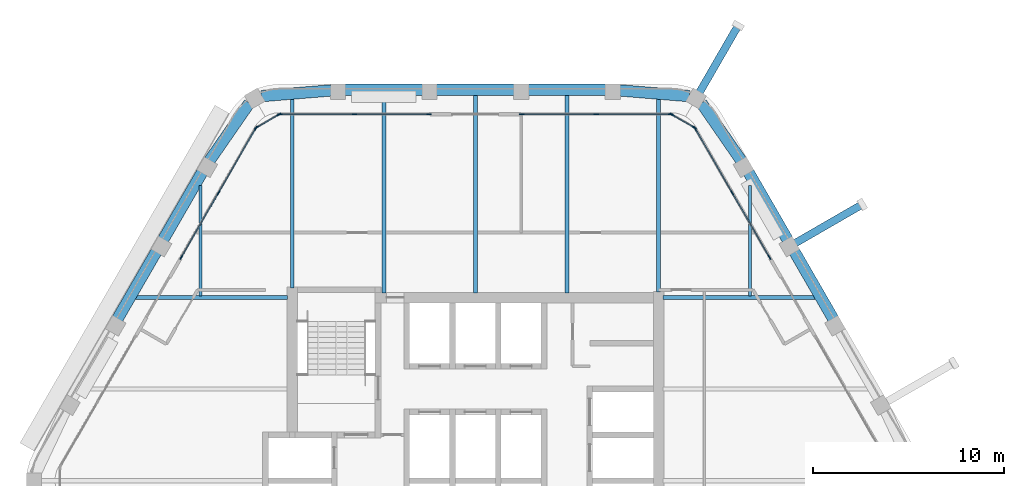
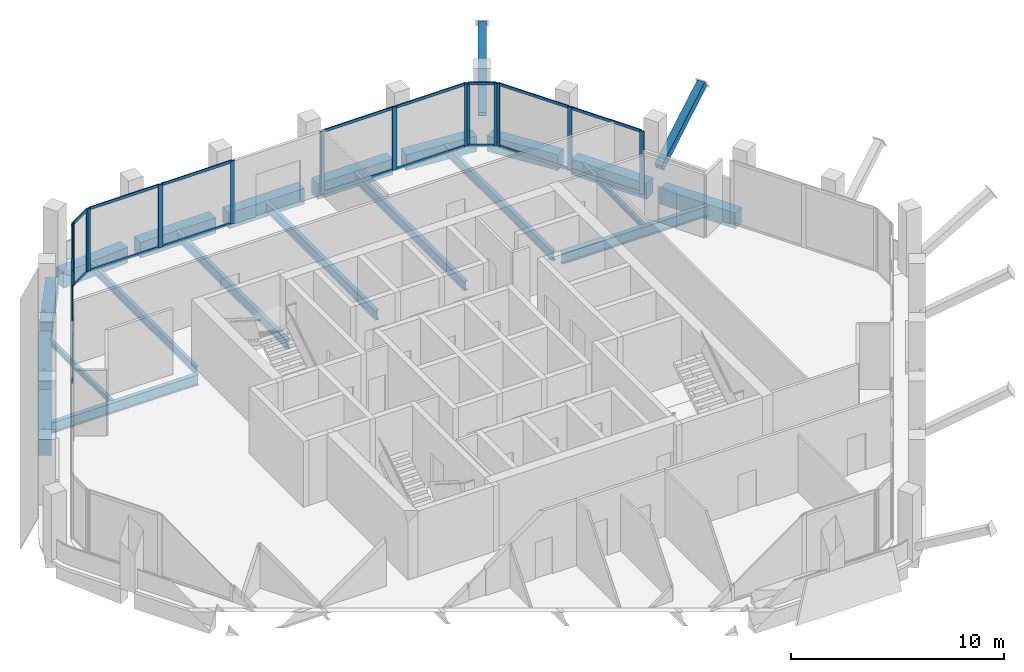
# One storey, part 5 of 14: 38 members, 20 beams, 6 elements without a shape of their own.
"""IFC4 building model written with IfcOpenShell, lengths in metres."""

import ifcopenshell
import ifcopenshell.guid

model = None  # the IFC model being written
_history = None  # IfcOwnerHistory: only IFC2X3 demands one
_inside = {}  # id of a spatial element -> (the spatial element, [elements in it])
_under = {}  # id of a project, library or spatial element -> (it, [spatial elements below it])
_declared = {}  # id of a project -> (the project, [libraries it declares])
_typed = {}  # id of a type object -> (the type object, [elements of that type])
_made_of = {}  # id of a material, layer set ... -> (it, [elements and type objects made of it])


def new_model(schema):
    """Start an empty IFC model of exactly this schema.

    Asked for "IFC4X3", IfcOpenShell would pick the latest addendum, in which some entities
    have other attributes; the version numbers below select the first issue.
    IFC2X3 requires an IfcOwnerHistory on every rooted entity: one is made here for all.
    """
    global model, _history
    if schema == "IFC4X3":
        model = ifcopenshell.file(schema_version=(4, 3, 0, 0))
    else:
        model = ifcopenshell.file(schema=schema)
    _inside.clear()
    _under.clear()
    _declared.clear()
    _typed.clear()
    _made_of.clear()
    _history = None
    if model.schema == "IFC2X3":
        org = make("IfcOrganization", Name="unknown")
        user = make(
            "IfcPersonAndOrganization",
            ThePerson=make("IfcPerson", FamilyName="unknown"),
            TheOrganization=org,
        )
        app = make(
            "IfcApplication",
            ApplicationDeveloper=org,
            Version="unknown",
            ApplicationFullName="unknown",
            ApplicationIdentifier="unknown",
        )
        _history = make(
            "IfcOwnerHistory",
            OwningUser=user,
            OwningApplication=app,
            ChangeAction="ADDED",
            CreationDate=0,
        )
    return model


def make(cls, **values):
    """One entity of the class cls with the attributes given. An attribute that is None is left unset."""
    return model.create_entity(
        cls, **{name: value for name, value in values.items() if value is not None}
    )


def rooted(cls, **values):
    """An entity with a GlobalId (a new one), such as an element, a storey or a relation."""
    return make(cls, GlobalId=ifcopenshell.guid.new(), OwnerHistory=_history, **values)


def si_unit(unit_type, name, prefix=None):
    """IfcSIUnit, for example si_unit("LENGTHUNIT", "METRE", prefix="MILLI")."""
    return make("IfcSIUnit", UnitType=unit_type, Prefix=prefix, Name=name)


def assignment(units):
    """IfcUnitAssignment: the units of a project."""
    return None if units is None else make("IfcUnitAssignment", Units=units)


def point(xyz):
    """IfcCartesianPoint."""
    return None if xyz is None else make("IfcCartesianPoint", Coordinates=xyz)


def direction(xyz):
    """IfcDirection."""
    return None if xyz is None else make("IfcDirection", DirectionRatios=xyz)


def frame(location, z_axis=None, x_axis=None):
    """IfcAxis2Placement3D, a coordinate frame: its origin and axes. An axis left out is left unset."""
    return make(
        "IfcAxis2Placement3D",
        Location=point(location),
        Axis=direction(z_axis),
        RefDirection=direction(x_axis),
    )


def frame_2d(location, x_axis=None):
    """IfcAxis2Placement2D, a coordinate frame in the plane: its origin and x axis."""
    return make(
        "IfcAxis2Placement2D", Location=point(location), RefDirection=direction(x_axis)
    )


def origin():
    """The frame at (0, 0, 0) with its axes left unset."""
    return frame((0.0, 0.0, 0.0))


def origin_2d():
    """The frame at (0, 0) in the plane with its x axis left unset."""
    return frame_2d((0.0, 0.0))


def place(relative_to, where):
    """IfcLocalPlacement: puts the frame where relative to a parent placement (None: the world)."""
    return make(
        "IfcLocalPlacement", PlacementRelTo=relative_to, RelativePlacement=where
    )


def context(
    kind, dimensions, precision=None, world=None, true_north=None, identifier=None
):
    """IfcGeometricRepresentationContext, for example the 3D "Model" context."""
    return make(
        "IfcGeometricRepresentationContext",
        ContextIdentifier=identifier,
        ContextType=kind,
        CoordinateSpaceDimension=dimensions,
        Precision=precision,
        WorldCoordinateSystem=world,
        TrueNorth=true_north,
    )


def subcontext(parent, identifier, kind, view, scale=None):
    """IfcGeometricRepresentationSubContext, for example "Body" below "Model"."""
    return make(
        "IfcGeometricRepresentationSubContext",
        ContextIdentifier=identifier,
        ContextType=kind,
        ParentContext=parent,
        TargetScale=scale,
        TargetView=view,
    )


def project(units=None, contexts=None):
    """IfcProject with its units and contexts."""
    return rooted(
        "IfcProject",
        Name="project",
        RepresentationContexts=contexts,
        UnitsInContext=assignment(units),
    )


def spatial(cls, under=None, at=None, **own):
    """A site, building, storey or space (cls), placed at a placement, below another one or the project."""
    s = rooted(cls, ObjectPlacement=at, **own)
    if under is not None:
        _under.setdefault(under.id(), (under, []))[1].append(s)
    return s


def profile(cls, at=None, kind="AREA", **sizes):
    """A parametric profile (cls). Its sizes go by their IFC names, for example OverallWidth=200.0."""
    return make(cls, ProfileType=kind, Position=at, **sizes)


def rectangle(**sizes):
    """IfcRectangleProfileDef."""
    return profile("IfcRectangleProfileDef", **sizes)


def hollow_rectangle(**sizes):
    """IfcRectangleHollowProfileDef."""
    return profile("IfcRectangleHollowProfileDef", **sizes)


def i_section(**sizes):
    """IfcIShapeProfileDef."""
    return profile("IfcIShapeProfileDef", **sizes)


def extrude(swept, where, along, depth):
    """IfcExtrudedAreaSolid: the profile swept, set in the frame where, extruded along a direction by depth."""
    return make(
        "IfcExtrudedAreaSolid",
        SweptArea=swept,
        Position=where,
        ExtrudedDirection=direction(along),
        Depth=depth,
    )


def shape(context_of_items, identifier, shape_type, items):
    """IfcShapeRepresentation: the items that make up one representation, for example the "Body"."""
    return make(
        "IfcShapeRepresentation",
        ContextOfItems=context_of_items,
        RepresentationIdentifier=identifier,
        RepresentationType=shape_type,
        Items=items,
    )


def material(Name=None, Category=None):
    """IfcMaterial."""
    return make("IfcMaterial", Name=Name, Category=Category)


def material_profile(
    of_material, cross_section, Name=None, Category=None, Priority=None
):
    """IfcMaterialProfile: a cross section and its material."""
    return make(
        "IfcMaterialProfile",
        Name=Name,
        Material=of_material,
        Profile=cross_section,
        Priority=Priority,
        Category=Category,
    )


def profile_set(profiles, Name=None, composite=None):
    """IfcMaterialProfileSet."""
    return make(
        "IfcMaterialProfileSet",
        Name=Name,
        MaterialProfiles=profiles,
        CompositeProfile=composite,
    )


def made_of(thing, what):
    """Note that an element or type object is made of a material, layer set ...; save() writes the relation."""
    if what is not None:
        _made_of.setdefault(what.id(), (what, []))[1].append(thing)
    return thing


def type_object(cls, material=None, **own):
    """A type object (cls), such as IfcWallType, which elements share."""
    return made_of(rooted(cls, **own), material)


def element(
    cls,
    number,
    at=None,
    inside=None,
    cuts=None,
    type_object=None,
    material=None,
    context=None,
    identifier="Body",
    shape_type=None,
    held_by="IfcProductDefinitionShape",
    body=None,
    shapes=None,
    **own,
):
    """One element of the class cls, such as IfcWall. Its Tag is "e" and its number.

    at: its placement. inside: the storey or other place that contains it. cuts: it is an
    opening in that element (IfcRelVoidsElement). A single representation is given by context,
    identifier, shape_type and body (its items); several are given by shapes. held_by: the class
    of the entity that holds the representations. save() writes the other relations.
    """
    e = rooted(cls, Tag="e%d" % number, ObjectPlacement=at, **own)
    if body is not None:
        shapes = [shape(context, identifier, shape_type, body)]
    if shapes is not None:
        e.Representation = make(held_by, Representations=shapes)
    if inside is not None:
        _inside.setdefault(inside.id(), (inside, []))[1].append(e)
    if cuts is not None:
        rooted(
            "IfcRelVoidsElement", RelatingBuildingElement=cuts, RelatedOpeningElement=e
        )
    if type_object is not None:
        _typed.setdefault(type_object.id(), (type_object, []))[1].append(e)
    return made_of(e, material)


def aggregate(whole, parts):
    """IfcRelAggregates: a whole, such as a stair, and the parts it consists of."""
    return rooted("IfcRelAggregates", RelatingObject=whole, RelatedObjects=parts)


def save(model, path):
    """Write the relations noted so far, then the file.

    IfcRelAggregates (storeys below a building ...), IfcRelContainedInSpatialStructure (elements
    in a storey), IfcRelDefinesByType, IfcRelAssociatesMaterial and IfcRelDeclares: one each for
    every whole, place, type object, material and project.
    """
    for whole, parts in _under.values():
        aggregate(whole, parts)
    for where, things in _inside.values():
        rooted(
            "IfcRelContainedInSpatialStructure",
            RelatedElements=things,
            RelatingStructure=where,
        )
    for kind, things in _typed.values():
        rooted("IfcRelDefinesByType", RelatedObjects=things, RelatingType=kind)
    for what, things in _made_of.values():
        rooted("IfcRelAssociatesMaterial", RelatedObjects=things, RelatingMaterial=what)
    for by, libraries in _declared.values():
        rooted("IfcRelDeclares", RelatingContext=by, RelatedDefinitions=libraries)
    model.write(path)


model = new_model("IFC4")

# Units and contexts
model_context = context("Model", 3, precision=1e-05, world=origin(), true_north=direction((0.0, 1.0)))
body_context = subcontext(model_context, "Body", "Model", "MODEL_VIEW")
ifc_project = project(units=[si_unit("LENGTHUNIT", "METRE"), si_unit("AREAUNIT", "SQUARE_METRE"), si_unit("VOLUMEUNIT", "CUBIC_METRE"), si_unit("PLANEANGLEUNIT", "RADIAN"), si_unit("MASSUNIT", "GRAM", prefix="KILO")], contexts=[model_context])

# Site, building, storey
site_placement = place(None, origin())
site = spatial("IfcSite", under=ifc_project, at=site_placement, CompositionType="ELEMENT")
building_placement = place(site_placement, origin())
building = spatial("IfcBuilding", under=site, at=building_placement, Name="Kolab Exchange Tower", CompositionType="ELEMENT")
storey_placement = place(building_placement, frame((0.0, 0.0, 281.300048828125)))
storey = spatial("IfcBuildingStorey", under=building, at=storey_placement, Name="L63", CompositionType="ELEMENT", Elevation=281.300048828125)

# Beams
ifc_material_1 = material(Name="Steel S355", Category="steel")
ifc_material_profile_1 = material_profile(ifc_material_1, i_section(OverallWidth=0.1650390625, OverallDepth=0.31005859375, WebThickness=0.005859375, FlangeThickness=0.009765625, at=origin_2d()), Name="W310X39")
ifc_profile_set_1 = profile_set([ifc_material_profile_1], Name="Steel S355")
beam_type_1 = type_object("IfcBeamType", Name="FLOOR BEAM W310X39", PredefinedType="BEAM", material=ifc_profile_set_1)
for number, where, z_axis, x_axis, name in (
    (1, (-14.39990234375, 9.674072265625, -0.304931640625), (0.0, 1.0, 0.0), (-1.0, 0.0, 0.0), "beam/L63/fr/004"),
    (2, (14.39990234375, 9.674072265625, -0.304931640625), (0.0, 1.0, 0.0), (-1.0, 0.0, 0.0), "beam/L63/fr/019"),
):
    element("IfcBeam", number, at=place(storey_placement, frame(where, z_axis=z_axis, x_axis=x_axis)), inside=storey, type_object=beam_type_1, Name=name, PredefinedType="BEAM", context=body_context, shape_type="SweptSolid", body=[
        extrude(i_section(OverallWidth=0.1650390625, OverallDepth=0.31005859375, WebThickness=0.005859375, FlangeThickness=0.009765625, at=origin_2d()), origin(), (0.0, 0.0, 1.0), 5.793701171875),
    ])
ifc_material_profile_2 = material_profile(ifc_material_1, i_section(OverallWidth=0.18994140625, OverallDepth=0.45703125, WebThickness=0.009033203125, FlangeThickness=0.014404296875, at=origin_2d()), Name="W460X74")
ifc_profile_set_2 = profile_set([ifc_material_profile_2], Name="Steel S355")
beam_type_2 = type_object("IfcBeamType", Name="FLOOR BEAM W460X74", PredefinedType="BEAM", material=ifc_profile_set_2)
beam_1_placement = place(storey_placement, frame((-9.60009765625, 10.110107421875, -0.378662109375), z_axis=(0.0, 1.0, 0.0), x_axis=(-1.0, 0.0, 0.0)))
element("IfcBeam", 3, at=beam_1_placement, inside=storey, type_object=beam_type_2, Name="beam/L63/fr/006", PredefinedType="BEAM", context=body_context, shape_type="SweptSolid", body=[
    extrude(i_section(OverallWidth=0.18994140625, OverallDepth=0.45703125, WebThickness=0.009033203125, FlangeThickness=0.014404296875, at=origin_2d()), origin(), (0.0, 0.0, 1.0), 9.9169921875),
])
ifc_material_profile_3 = material_profile(ifc_material_1, i_section(OverallWidth=0.208984375, OverallDepth=0.532958984375, WebThickness=0.01025390625, FlangeThickness=0.015625, at=origin_2d()), Name="W530X92")
ifc_profile_set_3 = profile_set([ifc_material_profile_3], Name="Steel S355")
beam_type_3 = type_object("IfcBeamType", Name="FLOOR BEAM W530X92", PredefinedType="BEAM", material=ifc_profile_set_3)
for number, where, z_axis, x_axis, name in (
    (4, (-4.800048828125, 9.8349609375, -0.41650390625), (0.0, 1.0, 0.0), (-1.0, 0.0, 0.0), "beam/L63/fr/008"),
    (5, (0.0, 9.8349609375, -0.41650390625), (0.0, 1.0, 0.0), (-1.0, 0.0, 0.0), "beam/L63/fr/010"),
    (6, (4.800048828125, 9.8349609375, -0.41650390625), (0.0, 1.0, 0.0), (-1.0, 0.0, 0.0), "beam/L63/fr/012"),
):
    element("IfcBeam", number, at=place(storey_placement, frame(where, z_axis=z_axis, x_axis=x_axis)), inside=storey, type_object=beam_type_3, Name=name, PredefinedType="BEAM", context=body_context, shape_type="SweptSolid", body=[
        extrude(i_section(OverallWidth=0.208984375, OverallDepth=0.532958984375, WebThickness=0.01025390625, FlangeThickness=0.015625, at=origin_2d()), origin(), (0.0, 0.0, 1.0), 10.3896484375),
    ])
beam_2_placement = place(storey_placement, frame((9.60009765625, 9.885009765625, -0.41650390625), z_axis=(0.0, 1.0, 0.0), x_axis=(-1.0, 0.0, 0.0)))
element("IfcBeam", 7, at=beam_2_placement, inside=storey, type_object=beam_type_3, Name="beam/L63/fr/014", PredefinedType="BEAM", context=body_context, shape_type="SweptSolid", body=[
    extrude(i_section(OverallWidth=0.208984375, OverallDepth=0.532958984375, WebThickness=0.01025390625, FlangeThickness=0.015625, at=origin_2d()), origin(), (0.0, 0.0, 1.0), 10.14208984375),
])
ifc_material_profile_4 = material_profile(ifc_material_1, i_section(OverallWidth=0.22802734375, OverallDepth=0.60791015625, WebThickness=0.01123046875, FlangeThickness=0.017333984375, at=origin_2d()), Name="W610X113")
ifc_profile_set_4 = profile_set([ifc_material_profile_4], Name="Steel S355")
beam_type_4 = type_object("IfcBeamType", Name="FLOOR GIRDER W610X113", PredefinedType="BEAM", material=ifc_profile_set_4)
for number, where, z_axis, x_axis, name in (
    (8, (-17.8046875, 9.60009765625, -0.4541015625), (1.0, 0.0, 0.0), (0.0, 1.0, 0.0), "beam/L63/gd/001"),
    (9, (9.8349609375, 9.60009765625, -0.4541015625), (1.0, 0.0, 0.0), (0.0, 1.0, 0.0), "beam/L63/gd/003"),
):
    element("IfcBeam", number, at=place(storey_placement, frame(where, z_axis=z_axis, x_axis=x_axis)), inside=storey, type_object=beam_type_4, Name=name, PredefinedType="BEAM", context=body_context, shape_type="SweptSolid", body=[
        extrude(i_section(OverallWidth=0.22802734375, OverallDepth=0.60791015625, WebThickness=0.01123046875, FlangeThickness=0.017333984375, at=origin_2d()), origin(), (0.0, 0.0, 1.0), 7.9697265625),
    ])

# Members
ifc_material_profile_5 = material_profile(ifc_material_1, hollow_rectangle(XDim=0.39990234375, YDim=0.39990234375, WallThickness=0.02001953125, at=origin_2d()), Name="HSS400X400X20")
ifc_profile_set_5 = profile_set([ifc_material_profile_5], Name="Steel S355")
member_type_1 = type_object("IfcMemberType", Name="LEDGE STRUT HSS400X400X20", PredefinedType="STRUT", material=ifc_profile_set_5)
for number, where, z_axis, x_axis, name in (
    (10, (11.747802734375, 20.347900390625, 0.599853515625), (0.431355064226, 0.74712949304, 0.505697863547), (-0.866025579307, 0.499999695987, 0.0), "mem/L63/ledge/strut-0"),
    (11, (16.765380859375, 12.45068359375, 0.599853515625), (0.74712949304, 0.431355064226, 0.505697863547), (-0.499999695987, 0.866025579307, 0.0), "mem/L63/ledge/strut-1"),
):
    element("IfcMember", number, at=place(storey_placement, frame(where, z_axis=z_axis, x_axis=x_axis)), inside=storey, type_object=member_type_1, Name=name, PredefinedType="STRUT", context=body_context, shape_type="SweptSolid", body=[
        extrude(hollow_rectangle(XDim=0.39990234375, YDim=0.39990234375, WallThickness=0.02001953125, at=origin_2d()), origin(), (0.0, 0.0, 1.0), 4.682861328125),
    ])

# Beams
ifc_material_2 = material(Name="Concrete C50/60", Category="concrete")
ifc_material_profile_6 = material_profile(ifc_material_2, rectangle(XDim=0.60009765625, YDim=0.89990234375, at=origin_2d()), Name="RC600X900")
ifc_profile_set_6 = profile_set([ifc_material_profile_6], Name="Concrete C50/60")
beam_type_5 = type_object("IfcBeamType", Name="SPANDREL BEAM 600X900 C50/60", PredefinedType="BEAM", material=ifc_profile_set_6)
beam_3_placement = place(storey_placement, frame((-11.216796875, 20.15576171875, -0.60009765625), z_axis=(0.996666751878, 0.081580547323, 0.0), x_axis=(-0.081580547323, 0.996666751878, 0.0)))
element("IfcBeam", 12, at=beam_3_placement, inside=storey, type_object=beam_type_5, Name="beam/L63/sp/F1-01", PredefinedType="BEAM", context=body_context, shape_type="SweptSolid", body=[
    extrude(rectangle(XDim=0.60009765625, YDim=0.89990234375, at=origin_2d()), origin(), (0.0, 0.0, 1.0), 3.6689453125),
])
for number, where, z_axis, x_axis, name in (
    (13, (-6.840087890625, 20.484619140625, -0.60009765625), (1.0, 0.0, 0.0), (0.0, 1.0, 0.0), "beam/L63/sp/F1-02"),
    (14, (-2.0400390625, 20.484619140625, -0.60009765625), (1.0, 0.0, 0.0), (0.0, 1.0, 0.0), "beam/L63/sp/F1-03"),
    (15, (2.760009765625, 20.484619140625, -0.60009765625), (1.0, 0.0, 0.0), (0.0, 1.0, 0.0), "beam/L63/sp/F1-04"),
):
    element("IfcBeam", number, at=place(storey_placement, frame(where, z_axis=z_axis, x_axis=x_axis)), inside=storey, type_object=beam_type_5, Name=name, PredefinedType="BEAM", context=body_context, shape_type="SweptSolid", body=[
        extrude(rectangle(XDim=0.60009765625, YDim=0.89990234375, at=origin_2d()), origin(), (0.0, 0.0, 1.0), 4.080078125),
    ])
for number, where, z_axis, x_axis, name in (
    (16, (7.56005859375, 20.455078125, -0.60009765625), (0.996666751878, -0.081580547323, 0.0), (0.081580547323, 0.996666751878, 0.0), "beam/L63/sp/F1-05"),
    (17, (11.846923828125, 19.7919921875, -0.60009765625), (0.569005808573, -0.822333502789, 0.0), (0.822333502789, 0.569005808573, 0.0), "beam/L63/sp/F2-01"),
):
    element("IfcBeam", number, at=place(storey_placement, frame(where, z_axis=z_axis, x_axis=x_axis)), inside=storey, type_object=beam_type_5, Name=name, PredefinedType="BEAM", context=body_context, shape_type="SweptSolid", body=[
        extrude(rectangle(XDim=0.60009765625, YDim=0.89990234375, at=origin_2d()), origin(), (0.0, 0.0, 1.0), 3.6689453125),
    ])
beam_4_placement = place(storey_placement, frame((14.3203125, 16.166015625, -0.60009765625), z_axis=(0.499955548806, -0.866051066172, 0.0), x_axis=(0.866051066172, 0.499955548806, 0.0)))
element("IfcBeam", 18, at=beam_4_placement, inside=storey, type_object=beam_type_5, Name="beam/L63/sp/F2-02", PredefinedType="BEAM", context=body_context, shape_type="SweptSolid", body=[
    extrude(rectangle(XDim=0.60009765625, YDim=0.89990234375, at=origin_2d()), origin(), (0.0, 0.0, 1.0), 4.079833984375),
])
for number, where, z_axis, x_axis, name in (
    (19, (16.72021484375, 12.009033203125, -0.60009765625), (0.500000428765, -0.866025156237, 0.0), (0.866025156237, 0.500000428765, 0.0), "beam/L63/sp/F2-03"),
    (20, (-18.76025390625, 8.4755859375, -0.60009765625), (0.500000428765, 0.866025156237, 0.0), (-0.866025156237, 0.500000428765, 0.0), "beam/L63/sp/F6-03"),
):
    element("IfcBeam", number, at=place(storey_placement, frame(where, z_axis=z_axis, x_axis=x_axis)), inside=storey, type_object=beam_type_5, Name=name, PredefinedType="BEAM", context=body_context, shape_type="SweptSolid", body=[
        extrude(rectangle(XDim=0.60009765625, YDim=0.89990234375, at=origin_2d()), origin(), (0.0, 0.0, 1.0), 4.080078125),
    ])
beam_5_placement = place(storey_placement, frame((-16.360107421875, 12.632568359375, -0.60009765625), z_axis=(0.499955548806, 0.866051066172, 0.0), x_axis=(-0.866051066172, 0.499955548806, 0.0)))
element("IfcBeam", 21, at=beam_5_placement, inside=storey, type_object=beam_type_5, Name="beam/L63/sp/F6-04", PredefinedType="BEAM", context=body_context, shape_type="SweptSolid", body=[
    extrude(rectangle(XDim=0.60009765625, YDim=0.89990234375, at=origin_2d()), origin(), (0.0, 0.0, 1.0), 4.079833984375),
])
beam_6_placement = place(storey_placement, frame((-13.9345703125, 16.77490234375, -0.60009765625), z_axis=(0.569005808573, 0.822333502789, 0.0), x_axis=(-0.822333502789, 0.569005808573, 0.0)))
element("IfcBeam", 22, at=beam_6_placement, inside=storey, type_object=beam_type_5, Name="beam/L63/sp/F6-05", PredefinedType="BEAM", context=body_context, shape_type="SweptSolid", body=[
    extrude(rectangle(XDim=0.60009765625, YDim=0.89990234375, at=origin_2d()), origin(), (0.0, 0.0, 1.0), 3.6689453125),
])

# Curtain wall, members
ifc_material_3 = material(Name="Aluminium EN AW-6063 T6", Category="aluminium")
curtain_wall_type = type_object("IfcCurtainWallType", Name="UNITISED HIGH ZONE CURTAIN WALL", PredefinedType="NOTDEFINED", material=ifc_material_3)
curtain_wall_1_placement = place(storey_placement, origin())
curtain_wall_1 = element("IfcCurtainWall", 23, at=curtain_wall_1_placement, inside=storey, type_object=curtain_wall_type, Name="cw/L63/F1-1", PredefinedType="NOTDEFINED")
ifc_material_profile_7 = material_profile(ifc_material_3, rectangle(XDim=0.06005859375, YDim=0.239990234375, at=origin_2d()), Name="RECT 60X240")
ifc_profile_set_7 = profile_set([ifc_material_profile_7], Name="Aluminium EN AW-6063 T6")
member_type_2 = type_object("IfcMemberType", Name="UNITISED HIGH ZONE MULLION 60 X 240", PredefinedType="MULLION", material=ifc_profile_set_7)
member_1_placement = place(storey_placement, frame((-10.238037109375, 19.20458984375, 0.0), z_axis=(0.0, 0.0, 1.0), x_axis=(0.0, 1.0, 0.0)))
member_1 = element("IfcMember", 24, at=member_1_placement, type_object=member_type_2, Name="CW4 mullion 1", PredefinedType="MULLION", context=body_context, shape_type="SweptSolid", body=[
    extrude(rectangle(XDim=0.06005859375, YDim=0.239990234375, at=origin_2d()), origin(), (0.0, 0.0, 1.0), 3.599853515625),
])
member_2_placement = place(storey_placement, frame((-6.333984375, 19.20458984375, 0.0), z_axis=(0.0, 0.0, 1.0), x_axis=(0.0, 1.0, 0.0)))
member_2 = element("IfcMember", 25, at=member_2_placement, type_object=member_type_2, Name="CW4 mullion 2", PredefinedType="MULLION", context=body_context, shape_type="SweptSolid", body=[
    extrude(rectangle(XDim=0.06005859375, YDim=0.239990234375, at=origin_2d()), origin(), (0.0, 0.0, 1.0), 3.599853515625),
])
member_3_placement = place(storey_placement, frame((-2.429931640625, 19.20458984375, 0.0), z_axis=(0.0, 0.0, 1.0), x_axis=(0.0, 1.0, 0.0)))
member_3 = element("IfcMember", 26, at=member_3_placement, type_object=member_type_2, Name="CW4 mullion 3", PredefinedType="MULLION", context=body_context, shape_type="SweptSolid", body=[
    extrude(rectangle(XDim=0.06005859375, YDim=0.239990234375, at=origin_2d()), origin(), (0.0, 0.0, 1.0), 3.599853515625),
])

curtain_wall_2_placement = place(storey_placement, origin())
curtain_wall_2 = element("IfcCurtainWall", 27, at=curtain_wall_2_placement, inside=storey, type_object=curtain_wall_type, Name="cw/L63/F1-2", PredefinedType="NOTDEFINED")
member_4_placement = place(storey_placement, frame((2.429931640625, 19.20458984375, 0.0), z_axis=(0.0, 0.0, 1.0), x_axis=(0.0, 1.0, 0.0)))
member_4 = element("IfcMember", 28, at=member_4_placement, type_object=member_type_2, Name="CW4 mullion 1", PredefinedType="MULLION", context=body_context, shape_type="SweptSolid", body=[
    extrude(rectangle(XDim=0.06005859375, YDim=0.239990234375, at=origin_2d()), origin(), (0.0, 0.0, 1.0), 3.599853515625),
])
member_5_placement = place(storey_placement, frame((6.333984375, 19.20458984375, 0.0), z_axis=(0.0, 0.0, 1.0), x_axis=(0.0, 1.0, 0.0)))
member_5 = element("IfcMember", 29, at=member_5_placement, type_object=member_type_2, Name="CW4 mullion 2", PredefinedType="MULLION", context=body_context, shape_type="SweptSolid", body=[
    extrude(rectangle(XDim=0.06005859375, YDim=0.239990234375, at=origin_2d()), origin(), (0.0, 0.0, 1.0), 3.599853515625),
])
member_6_placement = place(storey_placement, frame((10.238037109375, 19.20458984375, 0.0), z_axis=(0.0, 0.0, 1.0), x_axis=(0.0, 1.0, 0.0)))
member_6 = element("IfcMember", 30, at=member_6_placement, type_object=member_type_2, Name="CW4 mullion 3", PredefinedType="MULLION", context=body_context, shape_type="SweptSolid", body=[
    extrude(rectangle(XDim=0.06005859375, YDim=0.239990234375, at=origin_2d()), origin(), (0.0, 0.0, 1.0), 3.599853515625),
])

curtain_wall_3_placement = place(storey_placement, origin())
curtain_wall_3 = element("IfcCurtainWall", 31, at=curtain_wall_3_placement, inside=storey, type_object=curtain_wall_type, Name="cw/L63/F2-1", PredefinedType="NOTDEFINED")
member_7_placement = place(storey_placement, frame((11.5126953125, 18.46875, 0.0), z_axis=(0.0, 0.0, 1.0), x_axis=(0.866025385493, 0.500000031681, 0.0)))
member_7 = element("IfcMember", 32, at=member_7_placement, type_object=member_type_2, Name="CW4 mullion 1", PredefinedType="MULLION", context=body_context, shape_type="SweptSolid", body=[
    extrude(rectangle(XDim=0.06005859375, YDim=0.239990234375, at=origin_2d()), origin(), (0.0, 0.0, 1.0), 3.599853515625),
])
member_8_placement = place(storey_placement, frame((13.464599609375, 15.087646484375, 0.0), z_axis=(0.0, 0.0, 1.0), x_axis=(0.866025385493, 0.500000031681, 0.0)))
member_8 = element("IfcMember", 33, at=member_8_placement, type_object=member_type_2, Name="CW4 mullion 2", PredefinedType="MULLION", context=body_context, shape_type="SweptSolid", body=[
    extrude(rectangle(XDim=0.06005859375, YDim=0.239990234375, at=origin_2d()), origin(), (0.0, 0.0, 1.0), 3.599853515625),
])
member_9_placement = place(storey_placement, frame((15.416748046875, 11.706787109375, 0.0), z_axis=(0.0, 0.0, 1.0), x_axis=(0.866025385493, 0.500000031681, 0.0)))
member_9 = element("IfcMember", 34, at=member_9_placement, type_object=member_type_2, Name="CW4 mullion 3", PredefinedType="MULLION", context=body_context, shape_type="SweptSolid", body=[
    extrude(rectangle(XDim=0.06005859375, YDim=0.239990234375, at=origin_2d()), origin(), (0.0, 0.0, 1.0), 3.599853515625),
])

curtain_wall_4_placement = place(storey_placement, origin())
curtain_wall_4 = element("IfcCurtainWall", 35, at=curtain_wall_4_placement, inside=storey, type_object=curtain_wall_type, Name="cw/L63/F6-2", PredefinedType="NOTDEFINED")
member_10_placement = place(storey_placement, frame((-15.416748046875, 11.706787109375, 0.0), z_axis=(0.0, 0.0, 1.0), x_axis=(-0.866025385493, 0.500000031681, 0.0)))
member_10 = element("IfcMember", 36, at=member_10_placement, type_object=member_type_2, Name="CW4 mullion 1", PredefinedType="MULLION", context=body_context, shape_type="SweptSolid", body=[
    extrude(rectangle(XDim=0.06005859375, YDim=0.239990234375, at=origin_2d()), origin(), (0.0, 0.0, 1.0), 3.599853515625),
])
member_11_placement = place(storey_placement, frame((-13.464599609375, 15.087646484375, 0.0), z_axis=(0.0, 0.0, 1.0), x_axis=(-0.866025385493, 0.500000031681, 0.0)))
member_11 = element("IfcMember", 37, at=member_11_placement, type_object=member_type_2, Name="CW4 mullion 2", PredefinedType="MULLION", context=body_context, shape_type="SweptSolid", body=[
    extrude(rectangle(XDim=0.06005859375, YDim=0.239990234375, at=origin_2d()), origin(), (0.0, 0.0, 1.0), 3.599853515625),
])
member_12_placement = place(storey_placement, frame((-11.5126953125, 18.46875, 0.0), z_axis=(0.0, 0.0, 1.0), x_axis=(-0.866025385493, 0.500000031681, 0.0)))
member_12 = element("IfcMember", 38, at=member_12_placement, type_object=member_type_2, Name="CW4 mullion 3", PredefinedType="MULLION", context=body_context, shape_type="SweptSolid", body=[
    extrude(rectangle(XDim=0.06005859375, YDim=0.239990234375, at=origin_2d()), origin(), (0.0, 0.0, 1.0), 3.599853515625),
])

curtain_wall_5_placement = place(storey_placement, origin())
curtain_wall_5 = element("IfcCurtainWall", 39, at=curtain_wall_5_placement, inside=storey, type_object=curtain_wall_type, Name="cw/L63/F1F2-corner", PredefinedType="NOTDEFINED")
member_13_placement = place(storey_placement, frame((10.2939453125, 19.189697265625, 0.0), z_axis=(0.0, 0.0, 1.0), x_axis=(0.50000002237, 0.866025390869, 0.0)))
member_13 = element("IfcMember", 40, at=member_13_placement, type_object=member_type_2, Name="CW4 mullion 1", PredefinedType="MULLION", context=body_context, shape_type="SweptSolid", body=[
    extrude(rectangle(XDim=0.06005859375, YDim=0.239990234375, at=origin_2d()), origin(), (0.0, 0.0, 1.0), 3.599853515625),
])
member_14_placement = place(storey_placement, frame((11.4716796875, 18.509521484375, 0.0), z_axis=(0.0, 0.0, 1.0), x_axis=(0.50000002237, 0.866025390869, 0.0)))
member_14 = element("IfcMember", 41, at=member_14_placement, type_object=member_type_2, Name="CW4 mullion 2", PredefinedType="MULLION", context=body_context, shape_type="SweptSolid", body=[
    extrude(rectangle(XDim=0.06005859375, YDim=0.239990234375, at=origin_2d()), origin(), (0.0, 0.0, 1.0), 3.599853515625),
])

curtain_wall_6_placement = place(storey_placement, origin())
curtain_wall_6 = element("IfcCurtainWall", 42, at=curtain_wall_6_placement, inside=storey, type_object=curtain_wall_type, Name="cw/L63/F6F1-corner", PredefinedType="NOTDEFINED")
member_15_placement = place(storey_placement, frame((-11.4716796875, 18.509521484375, 0.0), z_axis=(0.0, 0.0, 1.0), x_axis=(-0.50000002237, 0.866025390869, 0.0)))
member_15 = element("IfcMember", 43, at=member_15_placement, type_object=member_type_2, Name="CW4 mullion 1", PredefinedType="MULLION", context=body_context, shape_type="SweptSolid", body=[
    extrude(rectangle(XDim=0.06005859375, YDim=0.239990234375, at=origin_2d()), origin(), (0.0, 0.0, 1.0), 3.599853515625),
])
member_16_placement = place(storey_placement, frame((-10.2939453125, 19.189697265625, 0.0), z_axis=(0.0, 0.0, 1.0), x_axis=(-0.50000002237, 0.866025390869, 0.0)))
member_16 = element("IfcMember", 44, at=member_16_placement, type_object=member_type_2, Name="CW4 mullion 2", PredefinedType="MULLION", context=body_context, shape_type="SweptSolid", body=[
    extrude(rectangle(XDim=0.06005859375, YDim=0.239990234375, at=origin_2d()), origin(), (0.0, 0.0, 1.0), 3.599853515625),
])

# Member
ifc_material_profile_8 = material_profile(ifc_material_3, rectangle(XDim=0.06005859375, YDim=0.159912109375, at=origin_2d()), Name="RECT 60X160")
ifc_profile_set_8 = profile_set([ifc_material_profile_8], Name="Aluminium EN AW-6063 T6")
member_type_3 = type_object("IfcMemberType", Name="UNITISED HIGH ZONE TRANSOM 60 X 160", PredefinedType="USERDEFINED", material=ifc_profile_set_8)
member_17_placement = place(storey_placement, frame((-10.2080078125, 19.20458984375, 0.030029296875), z_axis=(1.0, 0.0, 0.0), x_axis=(0.0, 1.0, 0.0)))
member_17 = element("IfcMember", 45, at=member_17_placement, type_object=member_type_3, Name="CW4 transom 1.1", ObjectType="TRANSOM", PredefinedType="USERDEFINED", context=body_context, shape_type="SweptSolid", body=[
    extrude(rectangle(XDim=0.06005859375, YDim=0.159912109375, at=origin_2d()), origin(), (0.0, 0.0, 1.0), 3.843994140625),
])

member_18_placement = place(storey_placement, frame((-10.2080078125, 19.20458984375, 3.570068359375), z_axis=(1.0, 0.0, 0.0), x_axis=(0.0, 1.0, 0.0)))
member_18 = element("IfcMember", 46, at=member_18_placement, type_object=member_type_3, Name="CW4 transom 1.2", ObjectType="TRANSOM", PredefinedType="USERDEFINED", context=body_context, shape_type="SweptSolid", body=[
    extrude(rectangle(XDim=0.06005859375, YDim=0.159912109375, at=origin_2d()), origin(), (0.0, 0.0, 1.0), 3.843994140625),
])

member_19_placement = place(storey_placement, frame((-6.303955078125, 19.20458984375, 0.030029296875), z_axis=(1.0, 0.0, 0.0), x_axis=(0.0, 1.0, 0.0)))
member_19 = element("IfcMember", 47, at=member_19_placement, type_object=member_type_3, Name="CW4 transom 2.1", ObjectType="TRANSOM", PredefinedType="USERDEFINED", context=body_context, shape_type="SweptSolid", body=[
    extrude(rectangle(XDim=0.06005859375, YDim=0.159912109375, at=origin_2d()), origin(), (0.0, 0.0, 1.0), 3.843994140625),
])

member_20_placement = place(storey_placement, frame((-6.303955078125, 19.20458984375, 3.570068359375), z_axis=(1.0, 0.0, 0.0), x_axis=(0.0, 1.0, 0.0)))
member_20 = element("IfcMember", 48, at=member_20_placement, type_object=member_type_3, Name="CW4 transom 2.2", ObjectType="TRANSOM", PredefinedType="USERDEFINED", context=body_context, shape_type="SweptSolid", body=[
    extrude(rectangle(XDim=0.06005859375, YDim=0.159912109375, at=origin_2d()), origin(), (0.0, 0.0, 1.0), 3.843994140625),
])

aggregate(curtain_wall_1, [member_1, member_2, member_3, member_17, member_18, member_19, member_20])

member_21_placement = place(storey_placement, frame((2.4599609375, 19.20458984375, 0.030029296875), z_axis=(1.0, 0.0, 0.0), x_axis=(0.0, 1.0, 0.0)))
member_21 = element("IfcMember", 49, at=member_21_placement, type_object=member_type_3, Name="CW4 transom 1.1", ObjectType="TRANSOM", PredefinedType="USERDEFINED", context=body_context, shape_type="SweptSolid", body=[
    extrude(rectangle(XDim=0.06005859375, YDim=0.159912109375, at=origin_2d()), origin(), (0.0, 0.0, 1.0), 3.843994140625),
])

member_22_placement = place(storey_placement, frame((2.4599609375, 19.20458984375, 3.570068359375), z_axis=(1.0, 0.0, 0.0), x_axis=(0.0, 1.0, 0.0)))
member_22 = element("IfcMember", 50, at=member_22_placement, type_object=member_type_3, Name="CW4 transom 1.2", ObjectType="TRANSOM", PredefinedType="USERDEFINED", context=body_context, shape_type="SweptSolid", body=[
    extrude(rectangle(XDim=0.06005859375, YDim=0.159912109375, at=origin_2d()), origin(), (0.0, 0.0, 1.0), 3.843994140625),
])

member_23_placement = place(storey_placement, frame((6.364013671875, 19.20458984375, 0.030029296875), z_axis=(1.0, 0.0, 0.0), x_axis=(0.0, 1.0, 0.0)))
member_23 = element("IfcMember", 51, at=member_23_placement, type_object=member_type_3, Name="CW4 transom 2.1", ObjectType="TRANSOM", PredefinedType="USERDEFINED", context=body_context, shape_type="SweptSolid", body=[
    extrude(rectangle(XDim=0.06005859375, YDim=0.159912109375, at=origin_2d()), origin(), (0.0, 0.0, 1.0), 3.843994140625),
])

member_24_placement = place(storey_placement, frame((6.364013671875, 19.20458984375, 3.570068359375), z_axis=(1.0, 0.0, 0.0), x_axis=(0.0, 1.0, 0.0)))
member_24 = element("IfcMember", 52, at=member_24_placement, type_object=member_type_3, Name="CW4 transom 2.2", ObjectType="TRANSOM", PredefinedType="USERDEFINED", context=body_context, shape_type="SweptSolid", body=[
    extrude(rectangle(XDim=0.06005859375, YDim=0.159912109375, at=origin_2d()), origin(), (0.0, 0.0, 1.0), 3.843994140625),
])

aggregate(curtain_wall_2, [member_4, member_5, member_6, member_21, member_22, member_23, member_24])

member_25_placement = place(storey_placement, frame((11.527587890625, 18.442626953125, 0.030029296875), z_axis=(0.500039492609, -0.866002601515, 0.0), x_axis=(0.866002601515, 0.500039492609, 0.0)))
member_25 = element("IfcMember", 53, at=member_25_placement, type_object=member_type_3, Name="CW4 transom 1.1", ObjectType="TRANSOM", PredefinedType="USERDEFINED", context=body_context, shape_type="SweptSolid", body=[
    extrude(rectangle(XDim=0.06005859375, YDim=0.159912109375, at=origin_2d()), origin(), (0.0, 0.0, 1.0), 3.843994140625),
])

member_26_placement = place(storey_placement, frame((11.527587890625, 18.442626953125, 3.570068359375), z_axis=(0.500039492609, -0.866002601515, 0.0), x_axis=(0.866002601515, 0.500039492609, 0.0)))
member_26 = element("IfcMember", 54, at=member_26_placement, type_object=member_type_3, Name="CW4 transom 1.2", ObjectType="TRANSOM", PredefinedType="USERDEFINED", context=body_context, shape_type="SweptSolid", body=[
    extrude(rectangle(XDim=0.06005859375, YDim=0.159912109375, at=origin_2d()), origin(), (0.0, 0.0, 1.0), 3.843994140625),
])

member_27_placement = place(storey_placement, frame((13.479736328125, 15.061767578125, 0.030029296875), z_axis=(0.499964356602, -0.866045981532, 0.0), x_axis=(0.866045981532, 0.499964356602, 0.0)))
member_27 = element("IfcMember", 55, at=member_27_placement, type_object=member_type_3, Name="CW4 transom 2.1", ObjectType="TRANSOM", PredefinedType="USERDEFINED", context=body_context, shape_type="SweptSolid", body=[
    extrude(rectangle(XDim=0.06005859375, YDim=0.159912109375, at=origin_2d()), origin(), (0.0, 0.0, 1.0), 3.843994140625),
])

member_28_placement = place(storey_placement, frame((13.479736328125, 15.061767578125, 3.570068359375), z_axis=(0.499964356602, -0.866045981532, 0.0), x_axis=(0.866045981532, 0.499964356602, 0.0)))
member_28 = element("IfcMember", 56, at=member_28_placement, type_object=member_type_3, Name="CW4 transom 2.2", ObjectType="TRANSOM", PredefinedType="USERDEFINED", context=body_context, shape_type="SweptSolid", body=[
    extrude(rectangle(XDim=0.06005859375, YDim=0.159912109375, at=origin_2d()), origin(), (0.0, 0.0, 1.0), 3.843994140625),
])

aggregate(curtain_wall_3, [member_7, member_8, member_9, member_25, member_26, member_27, member_28])

member_29_placement = place(storey_placement, frame((-15.401611328125, 11.732666015625, 0.030029296875), z_axis=(0.499964356602, 0.866045981532, 0.0), x_axis=(-0.866045981532, 0.499964356602, 0.0)))
member_29 = element("IfcMember", 57, at=member_29_placement, type_object=member_type_3, Name="CW4 transom 1.1", ObjectType="TRANSOM", PredefinedType="USERDEFINED", context=body_context, shape_type="SweptSolid", body=[
    extrude(rectangle(XDim=0.06005859375, YDim=0.159912109375, at=origin_2d()), origin(), (0.0, 0.0, 1.0), 3.843994140625),
])

member_30_placement = place(storey_placement, frame((-15.401611328125, 11.732666015625, 3.570068359375), z_axis=(0.499964356602, 0.866045981532, 0.0), x_axis=(-0.866045981532, 0.499964356602, 0.0)))
member_30 = element("IfcMember", 58, at=member_30_placement, type_object=member_type_3, Name="CW4 transom 1.2", ObjectType="TRANSOM", PredefinedType="USERDEFINED", context=body_context, shape_type="SweptSolid", body=[
    extrude(rectangle(XDim=0.06005859375, YDim=0.159912109375, at=origin_2d()), origin(), (0.0, 0.0, 1.0), 3.843994140625),
])

member_31_placement = place(storey_placement, frame((-13.44970703125, 15.11376953125, 0.030029296875), z_axis=(0.500039492609, 0.866002601515, 0.0), x_axis=(-0.866002601515, 0.500039492609, 0.0)))
member_31 = element("IfcMember", 59, at=member_31_placement, type_object=member_type_3, Name="CW4 transom 2.1", ObjectType="TRANSOM", PredefinedType="USERDEFINED", context=body_context, shape_type="SweptSolid", body=[
    extrude(rectangle(XDim=0.06005859375, YDim=0.159912109375, at=origin_2d()), origin(), (0.0, 0.0, 1.0), 3.843994140625),
])

member_32_placement = place(storey_placement, frame((-13.44970703125, 15.11376953125, 3.570068359375), z_axis=(0.500039492609, 0.866002601515, 0.0), x_axis=(-0.866002601515, 0.500039492609, 0.0)))
member_32 = element("IfcMember", 60, at=member_32_placement, type_object=member_type_3, Name="CW4 transom 2.2", ObjectType="TRANSOM", PredefinedType="USERDEFINED", context=body_context, shape_type="SweptSolid", body=[
    extrude(rectangle(XDim=0.06005859375, YDim=0.159912109375, at=origin_2d()), origin(), (0.0, 0.0, 1.0), 3.843994140625),
])

aggregate(curtain_wall_4, [member_10, member_11, member_12, member_29, member_30, member_31, member_32])

member_33_placement = place(storey_placement, frame((10.31982421875, 19.174560546875, 0.030029296875), z_axis=(0.866085525409, -0.49989585183, 0.0), x_axis=(0.49989585183, 0.866085525409, 0.0)))
member_33 = element("IfcMember", 61, at=member_33_placement, type_object=member_type_3, Name="CW4 transom 1.1", ObjectType="TRANSOM", PredefinedType="USERDEFINED", context=body_context, shape_type="SweptSolid", body=[
    extrude(rectangle(XDim=0.06005859375, YDim=0.159912109375, at=origin_2d()), origin(), (0.0, 0.0, 1.0), 1.300048828125),
])

member_34_placement = place(storey_placement, frame((10.31982421875, 19.174560546875, 3.570068359375), z_axis=(0.866085525409, -0.49989585183, 0.0), x_axis=(0.49989585183, 0.866085525409, 0.0)))
member_34 = element("IfcMember", 62, at=member_34_placement, type_object=member_type_3, Name="CW4 transom 1.2", ObjectType="TRANSOM", PredefinedType="USERDEFINED", context=body_context, shape_type="SweptSolid", body=[
    extrude(rectangle(XDim=0.06005859375, YDim=0.159912109375, at=origin_2d()), origin(), (0.0, 0.0, 1.0), 1.300048828125),
])

aggregate(curtain_wall_5, [member_13, member_14, member_33, member_34])

member_35_placement = place(storey_placement, frame((-11.44580078125, 18.524658203125, 0.030029296875), z_axis=(0.866085525409, 0.49989585183, 0.0), x_axis=(-0.49989585183, 0.866085525409, 0.0)))
member_35 = element("IfcMember", 63, at=member_35_placement, type_object=member_type_3, Name="CW4 transom 1.1", ObjectType="TRANSOM", PredefinedType="USERDEFINED", context=body_context, shape_type="SweptSolid", body=[
    extrude(rectangle(XDim=0.06005859375, YDim=0.159912109375, at=origin_2d()), origin(), (0.0, 0.0, 1.0), 1.300048828125),
])

member_36_placement = place(storey_placement, frame((-11.44580078125, 18.524658203125, 3.570068359375), z_axis=(0.866085525409, 0.49989585183, 0.0), x_axis=(-0.49989585183, 0.866085525409, 0.0)))
member_36 = element("IfcMember", 64, at=member_36_placement, type_object=member_type_3, Name="CW4 transom 1.2", ObjectType="TRANSOM", PredefinedType="USERDEFINED", context=body_context, shape_type="SweptSolid", body=[
    extrude(rectangle(XDim=0.06005859375, YDim=0.159912109375, at=origin_2d()), origin(), (0.0, 0.0, 1.0), 1.300048828125),
])

aggregate(curtain_wall_6, [member_15, member_16, member_35, member_36])

save(model, "model.ifc")
